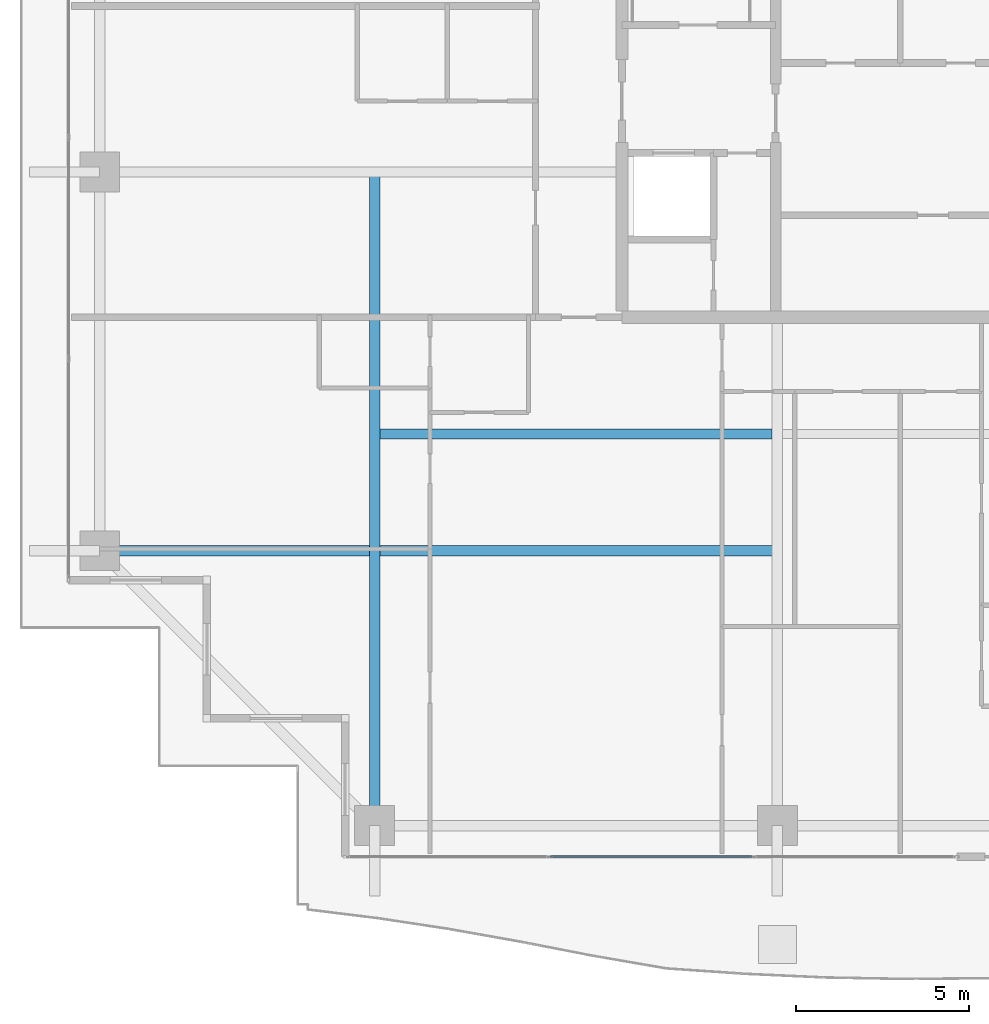
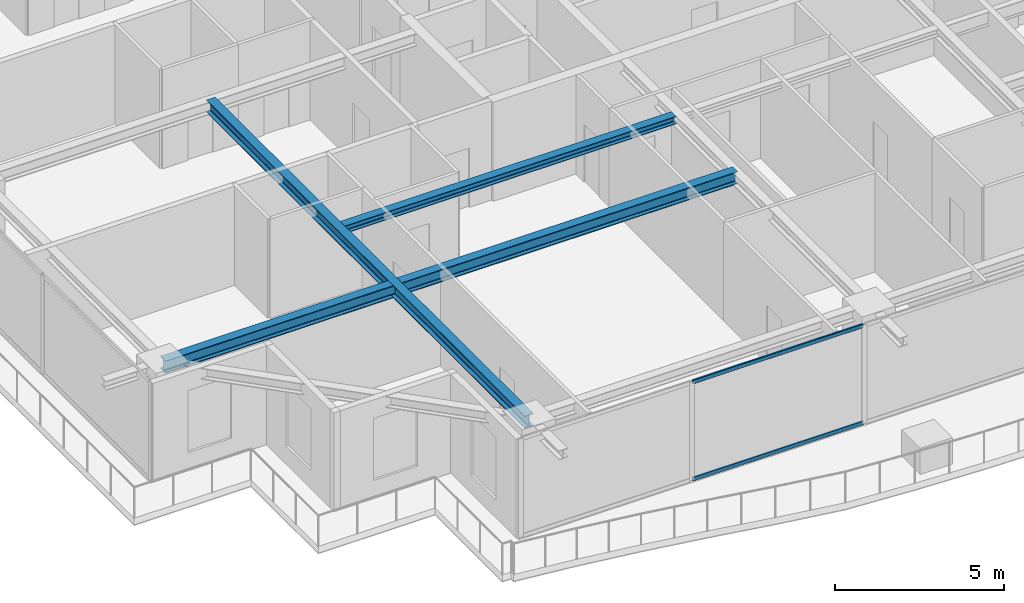
# One storey, part 4 of 38: 3 beams, 2 members, 1 element without a shape of its own.
"""IFC4 building model written with IfcOpenShell, lengths in metres."""

from ifc_helpers import new_model, si_unit, direction, frame, origin, origin_2d, place, context, subcontext, project, spatial, hollow_rectangle, i_section, extrude, source, transform, mapped, material, layer, layer_set, material_profile, profile_set, type_object, element, aggregate, save


model = new_model("IFC4")

# Units and contexts
model_context = context("Model", 3, precision=1e-05, world=origin(), true_north=direction((0.0, 1.0)))
body_context = subcontext(model_context, "Body", "Model", "MODEL_VIEW")
ifc_project = project(units=[si_unit("LENGTHUNIT", "METRE"), si_unit("AREAUNIT", "SQUARE_METRE"), si_unit("VOLUMEUNIT", "CUBIC_METRE"), si_unit("PLANEANGLEUNIT", "RADIAN"), si_unit("MASSUNIT", "GRAM", prefix="KILO")], contexts=[model_context])

# Site, building, storey
site_placement = place(None, origin())
site = spatial("IfcSite", under=ifc_project, at=site_placement, CompositionType="ELEMENT")
building_placement = place(site_placement, origin())
building = spatial("IfcBuilding", under=site, at=building_placement, Name="Serunith Strait Residences", CompositionType="ELEMENT")
storey_placement = place(building_placement, frame((0.0, 0.0, 245.10009765625)))
storey = spatial("IfcBuildingStorey", under=building, at=storey_placement, Name="L61", CompositionType="ELEMENT", Elevation=245.10009765625)

# Beams
ifc_material_1 = material(Name="Steel S355J2", Category="steel")
ifc_material_profile_1 = material_profile(ifc_material_1, i_section(OverallWidth=0.300048828125, OverallDepth=0.449951171875, WebThickness=0.013916015625, FlangeThickness=0.02587890625, FilletRadius=0.027099609375, at=origin_2d()), Name="HEB 450")
ifc_profile_set_1 = profile_set([ifc_material_profile_1], Name="Steel S355J2")
beam_type_1 = type_object("IfcBeamType", Name="BM-HEB450", PredefinedType="BEAM", material=ifc_profile_set_1)
shared_shape_1 = source(origin(), body_context, "Body", "SweptSolid", [
    extrude(i_section(OverallWidth=0.300048828125, OverallDepth=0.449951171875, WebThickness=0.013916015625, FlangeThickness=0.02587890625, FilletRadius=0.027099609375, at=origin_2d()), origin(), (0.0, 0.0, 1.0), 18.89990234375),
])
beam_1_placement = place(storey_placement, frame((16.25, 21.0, 3.36181640625), z_axis=(0.0, -1.0, 0.0), x_axis=(1.0, 0.0, 0.0)))
element("IfcBeam", 1, at=beam_1_placement, inside=storey, type_object=beam_type_1, Name="L61 Orthogonal Corner Girder TC-S1", PredefinedType="BEAM", context=body_context, shape_type="MappedRepresentation", body=[
    mapped(shared_shape_1, transform((0.0, 0.0, 0.0), scale=1.0)),
])
shared_shape_2 = source(origin(), body_context, "Body", "SweptSolid", [
    extrude(i_section(OverallWidth=0.300048828125, OverallDepth=0.449951171875, WebThickness=0.013916015625, FlangeThickness=0.02587890625, FilletRadius=0.027099609375, at=origin_2d()), origin(), (0.0, 0.0, 1.0), 19.599853515625),
])
beam_2_placement = place(storey_placement, frame((27.89990234375, 10.050048828125, 3.36181640625), z_axis=(-1.0, 0.0, 0.0), x_axis=(0.0, -1.0, 0.0)))
element("IfcBeam", 2, at=beam_2_placement, inside=storey, type_object=beam_type_1, Name="L61 Orthogonal Corner Girder TC-W1", PredefinedType="BEAM", context=body_context, shape_type="MappedRepresentation", body=[
    mapped(shared_shape_2, transform((0.0, 0.0, 0.0), scale=1.0)),
])
ifc_material_profile_2 = material_profile(ifc_material_1, i_section(OverallWidth=0.280029296875, OverallDepth=0.280029296875, WebThickness=0.010498046875, FlangeThickness=0.01806640625, FilletRadius=0.02392578125, at=origin_2d()), Name="HEB 280")
ifc_profile_set_2 = profile_set([ifc_material_profile_2], Name="Steel S355J2")
beam_type_2 = type_object("IfcBeamType", Name="BM-HEB280", PredefinedType="JOIST", material=ifc_profile_set_2)
shared_shape_3 = source(origin(), body_context, "Body", "SweptSolid", [
    extrude(i_section(OverallWidth=0.280029296875, OverallDepth=0.280029296875, WebThickness=0.010498046875, FlangeThickness=0.01806640625, FilletRadius=0.02392578125, at=origin_2d()), origin(), (0.0, 0.0, 1.0), 11.35009765625),
])
beam_3_placement = place(storey_placement, frame((16.39990234375, 13.425048828125, 3.447021484375), z_axis=(1.0, 0.0, 0.0), x_axis=(0.0, 1.0, 0.0)))
element("IfcBeam", 3, at=beam_3_placement, inside=storey, type_object=beam_type_2, Name="L61 Composite Floor Joist 01", PredefinedType="JOIST", context=body_context, shape_type="MappedRepresentation", body=[
    mapped(shared_shape_3, transform((0.0, 0.0, 0.0), scale=1.0)),
])

# Curtain wall, members
ifc_material_2 = material(Name="Pale-Champagne Anodised Aluminium", Category="aluminium")
ifc_layer = layer(ifc_material_2, 0.199951171875, Name="Pale-Champagne Anodised Aluminium")
ifc_layer_set = layer_set([ifc_layer], Name="Pale-Champagne Anodised Aluminium")
curtain_wall_type = type_object("IfcCurtainWallType", Name="CW-SYS4", PredefinedType="NOTDEFINED", material=ifc_layer_set)
curtain_wall_placement = place(storey_placement, origin())
curtain_wall = element("IfcCurtainWall", 4, at=curtain_wall_placement, inside=storey, type_object=curtain_wall_type, Name="L61 S Unitised Fritted Curtain Wall", PredefinedType="NOTDEFINED")
ifc_material_profile_3 = material_profile(ifc_material_2, hollow_rectangle(XDim=0.06005859375, YDim=0.139892578125, WallThickness=0.00341796875, InnerFilletRadius=0.00537109375, OuterFilletRadius=0.0087890625, at=origin_2d()), Name="ALU 140x60x3.5")
ifc_profile_set_3 = profile_set([ifc_material_profile_3], Name="Pale-Champagne Anodised Aluminium")
member_type = type_object("IfcMemberType", Name="CW-SYS4-TRAN", PredefinedType="USERDEFINED", material=ifc_profile_set_3)
shared_shape_4 = source(origin(), body_context, "Body", "SweptSolid", [
    extrude(hollow_rectangle(XDim=0.06005859375, YDim=0.139892578125, WallThickness=0.00341796875, InnerFilletRadius=0.00537109375, OuterFilletRadius=0.0087890625, at=origin_2d()), origin(), (0.0, 0.0, 1.0), 5.8349609375),
])
member_1_placement = place(storey_placement, frame((21.33251953125, 1.199951171875, 0.02978515625), z_axis=(1.0, 0.0, 0.0), x_axis=(0.0, 1.0, 0.0)))
member_1 = element("IfcMember", 5, at=member_1_placement, type_object=member_type, Name="CW-4 transom 2.1", ObjectType="TRANSOM", PredefinedType="USERDEFINED", context=body_context, shape_type="MappedRepresentation", body=[
    mapped(shared_shape_4, transform((0.0, 0.0, 0.0), scale=1.0)),
])
member_2_placement = place(storey_placement, frame((21.33251953125, 1.199951171875, 3.544921875), z_axis=(1.0, 0.0, 0.0), x_axis=(0.0, 1.0, 0.0)))
member_2 = element("IfcMember", 6, at=member_2_placement, type_object=member_type, Name="CW-4 transom 2.2", ObjectType="TRANSOM", PredefinedType="USERDEFINED", context=body_context, shape_type="MappedRepresentation", body=[
    mapped(shared_shape_4, transform((0.0, 0.0, 0.0), scale=1.0)),
])
aggregate(curtain_wall, [member_1, member_2])

save(model, "model.ifc")
